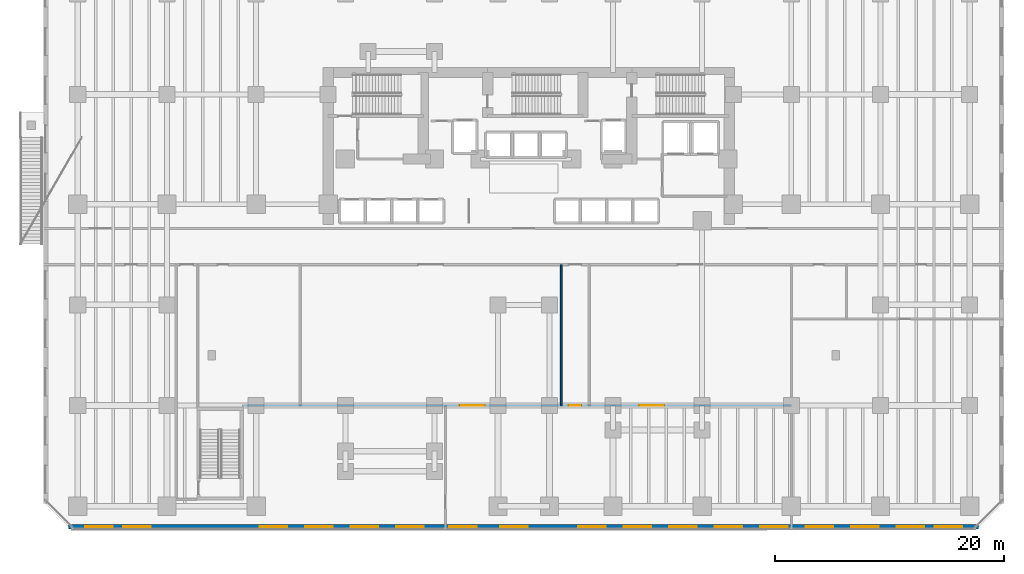
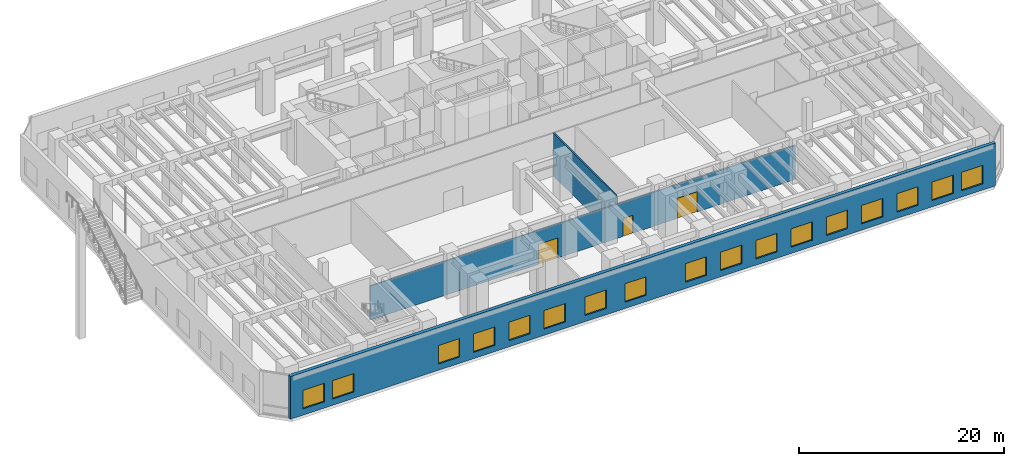
# One storey, part 11 of 21: 17 windows, 3 doors, 3 walls, 20 openings.
"""IFC4 building model written with IfcOpenShell, lengths in metres."""

from ifc_helpers import new_model, si_unit, direction, frame, frame_2d, origin, place, context, subcontext, project, spatial, rectangle, extrude, material, layer, layer_set, type_object, element, fill, save


model = new_model("IFC4")

# Units and contexts
model_context = context("Model", 3, precision=1e-05, world=origin(), true_north=direction((0.0, 1.0)))
body_context = subcontext(model_context, "Body", "Model", "MODEL_VIEW")
ifc_project = project(units=[si_unit("LENGTHUNIT", "METRE"), si_unit("AREAUNIT", "SQUARE_METRE"), si_unit("VOLUMEUNIT", "CUBIC_METRE"), si_unit("PLANEANGLEUNIT", "RADIAN"), si_unit("MASSUNIT", "GRAM", prefix="KILO")], contexts=[model_context])

# Site, building, storey
site_placement = place(None, origin())
site = spatial("IfcSite", under=ifc_project, at=site_placement, CompositionType="ELEMENT")
building_placement = place(site_placement, origin())
building = spatial("IfcBuilding", under=site, at=building_placement, Name="Kestravale Grand Hotel", CompositionType="ELEMENT")
storey_placement = place(building_placement, frame((0.0, 0.0, 10.39990234375)))
storey = spatial("IfcBuildingStorey", under=building, at=storey_placement, Name="L02", CompositionType="ELEMENT", Elevation=10.39990234375)

# Wall, openings, windows
ifc_material_1 = material(Name="Precast concrete f'c 45 MPa", Category="concrete")
ifc_layer_1 = layer(ifc_material_1, 0.3798828125)
ifc_layer_set_1 = layer_set([ifc_layer_1], Name="EW-POD-380")
wall_type_1 = type_object("IfcWallType", Name="EW-POD-380", PredefinedType="SOLIDWALL", material=ifc_layer_set_1)
wall_1_placement = place(storey_placement, frame((-0.7900390625, 0.590087890625, 0.0), z_axis=(0.0, 0.0, 1.0), x_axis=(1.0, 0.0, 0.0)))
wall_1 = element("IfcWall", 1, at=wall_1_placement, inside=storey, type_object=wall_type_1, Name="L02 fluted precast facade wall 1", PredefinedType="SOLIDWALL", context=body_context, shape_type="SweptSolid", body=[
    extrude(rectangle(XDim=79.580078125, YDim=0.3798828125, at=frame_2d((39.7900390625, 0.0))), origin(), (0.0, 0.0, 1.0), 5.10009765625),
])
opening_1_placement = place(wall_1_placement, frame((1.439453125, 0.0, 0.75)))
opening_1 = element("IfcOpeningElement", 2, at=opening_1_placement, cuts=wall_1, Name="Opening W-POD-2400", PredefinedType="OPENING", context=body_context, shape_type="SweptSolid", body=[
    extrude(rectangle(XDim=2.39990234375, YDim=2.199951171875, at=frame_2d((1.199951171875, 1.10009765625))), frame((0.0, 0.199951171875, 0.0), z_axis=(0.0, -1.0, 0.0), x_axis=(1.0, 0.0, 0.0)), (0.0, 0.0, 1.0), 0.39990234375),
])
opening_2_placement = place(wall_1_placement, frame((4.7685546875, 0.0, 0.75)))
opening_2 = element("IfcOpeningElement", 3, at=opening_2_placement, cuts=wall_1, Name="Opening W-POD-2400", PredefinedType="OPENING", context=body_context, shape_type="SweptSolid", body=[
    extrude(rectangle(XDim=2.39990234375, YDim=2.199951171875, at=frame_2d((1.199951171875, 1.10009765625))), frame((0.0, 0.199951171875, 0.0), z_axis=(0.0, -1.0, 0.0), x_axis=(1.0, 0.0, 0.0)), (0.0, 0.0, 1.0), 0.39990234375),
])
opening_3_placement = place(wall_1_placement, frame((16.70556640625, 0.0, 0.75)))
opening_3 = element("IfcOpeningElement", 4, at=opening_3_placement, cuts=wall_1, Name="Opening W-POD-2400", PredefinedType="OPENING", context=body_context, shape_type="SweptSolid", body=[
    extrude(rectangle(XDim=2.39990234375, YDim=2.199951171875, at=frame_2d((1.199951171875, 1.10009765625))), frame((0.0, 0.199951171875, 0.0), z_axis=(0.0, -1.0, 0.0), x_axis=(1.0, 0.0, 0.0)), (0.0, 0.0, 1.0), 0.39990234375),
])
opening_4_placement = place(wall_1_placement, frame((20.6845703125, 0.0, 0.75)))
opening_4 = element("IfcOpeningElement", 5, at=opening_4_placement, cuts=wall_1, Name="Opening W-POD-2400", PredefinedType="OPENING", context=body_context, shape_type="SweptSolid", body=[
    extrude(rectangle(XDim=2.39990234375, YDim=2.199951171875, at=frame_2d((1.199951171875, 1.10009765625))), frame((0.0, 0.199951171875, 0.0), z_axis=(0.0, -1.0, 0.0), x_axis=(1.0, 0.0, 0.0)), (0.0, 0.0, 1.0), 0.39990234375),
])
opening_5_placement = place(wall_1_placement, frame((24.66357421875, 0.0, 0.75)))
opening_5 = element("IfcOpeningElement", 6, at=opening_5_placement, cuts=wall_1, Name="Opening W-POD-2400", PredefinedType="OPENING", context=body_context, shape_type="SweptSolid", body=[
    extrude(rectangle(XDim=2.39990234375, YDim=2.199951171875, at=frame_2d((1.199951171875, 1.10009765625))), frame((0.0, 0.199951171875, 0.0), z_axis=(0.0, -1.0, 0.0), x_axis=(1.0, 0.0, 0.0)), (0.0, 0.0, 1.0), 0.39990234375),
])
opening_6_placement = place(wall_1_placement, frame((28.642578125, 0.0, 0.75)))
opening_6 = element("IfcOpeningElement", 7, at=opening_6_placement, cuts=wall_1, Name="Opening W-POD-2400", PredefinedType="OPENING", context=body_context, shape_type="SweptSolid", body=[
    extrude(rectangle(XDim=2.39990234375, YDim=2.199951171875, at=frame_2d((1.199951171875, 1.10009765625))), frame((0.0, 0.199951171875, 0.0), z_axis=(0.0, -1.0, 0.0), x_axis=(1.0, 0.0, 0.0)), (0.0, 0.0, 1.0), 0.39990234375),
])
opening_7_placement = place(wall_1_placement, frame((33.271484375, 0.0, 0.75)))
opening_7 = element("IfcOpeningElement", 8, at=opening_7_placement, cuts=wall_1, Name="Opening W-POD-2400", PredefinedType="OPENING", context=body_context, shape_type="SweptSolid", body=[
    extrude(rectangle(XDim=2.39990234375, YDim=2.199951171875, at=frame_2d((1.199951171875, 1.10009765625))), frame((0.0, 0.199951171875, 0.0), z_axis=(0.0, -1.0, 0.0), x_axis=(1.0, 0.0, 0.0)), (0.0, 0.0, 1.0), 0.39990234375),
])
opening_8_placement = place(wall_1_placement, frame((37.75048828125, 0.0, 0.75)))
opening_8 = element("IfcOpeningElement", 9, at=opening_8_placement, cuts=wall_1, Name="Opening W-POD-2400", PredefinedType="OPENING", context=body_context, shape_type="SweptSolid", body=[
    extrude(rectangle(XDim=2.39990234375, YDim=2.199951171875, at=frame_2d((1.199951171875, 1.10009765625))), frame((0.0, 0.199951171875, 0.0), z_axis=(0.0, -1.0, 0.0), x_axis=(1.0, 0.0, 0.0)), (0.0, 0.0, 1.0), 0.39990234375),
])
opening_9_placement = place(wall_1_placement, frame((44.55859375, 0.0, 0.75)))
opening_9 = element("IfcOpeningElement", 10, at=opening_9_placement, cuts=wall_1, Name="Opening W-POD-2400", PredefinedType="OPENING", context=body_context, shape_type="SweptSolid", body=[
    extrude(rectangle(XDim=2.39990234375, YDim=2.199951171875, at=frame_2d((1.199951171875, 1.10009765625))), frame((0.0, 0.199951171875, 0.0), z_axis=(0.0, -1.0, 0.0), x_axis=(1.0, 0.0, 0.0)), (0.0, 0.0, 1.0), 0.39990234375),
])
opening_10_placement = place(wall_1_placement, frame((48.53759765625, 0.0, 0.75)))
opening_10 = element("IfcOpeningElement", 11, at=opening_10_placement, cuts=wall_1, Name="Opening W-POD-2400", PredefinedType="OPENING", context=body_context, shape_type="SweptSolid", body=[
    extrude(rectangle(XDim=2.39990234375, YDim=2.199951171875, at=frame_2d((1.199951171875, 1.10009765625))), frame((0.0, 0.199951171875, 0.0), z_axis=(0.0, -1.0, 0.0), x_axis=(1.0, 0.0, 0.0)), (0.0, 0.0, 1.0), 0.39990234375),
])
opening_11_placement = place(wall_1_placement, frame((52.5166015625, 0.0, 0.75)))
opening_11 = element("IfcOpeningElement", 12, at=opening_11_placement, cuts=wall_1, Name="Opening W-POD-2400", PredefinedType="OPENING", context=body_context, shape_type="SweptSolid", body=[
    extrude(rectangle(XDim=2.39990234375, YDim=2.199951171875, at=frame_2d((1.199951171875, 1.10009765625))), frame((0.0, 0.199951171875, 0.0), z_axis=(0.0, -1.0, 0.0), x_axis=(1.0, 0.0, 0.0)), (0.0, 0.0, 1.0), 0.39990234375),
])
opening_12_placement = place(wall_1_placement, frame((56.49560546875, 0.0, 0.75)))
opening_12 = element("IfcOpeningElement", 13, at=opening_12_placement, cuts=wall_1, Name="Opening W-POD-2400", PredefinedType="OPENING", context=body_context, shape_type="SweptSolid", body=[
    extrude(rectangle(XDim=2.39990234375, YDim=2.199951171875, at=frame_2d((1.199951171875, 1.10009765625))), frame((0.0, 0.199951171875, 0.0), z_axis=(0.0, -1.0, 0.0), x_axis=(1.0, 0.0, 0.0)), (0.0, 0.0, 1.0), 0.39990234375),
])
opening_13_placement = place(wall_1_placement, frame((60.474609375, 0.0, 0.75)))
opening_13 = element("IfcOpeningElement", 14, at=opening_13_placement, cuts=wall_1, Name="Opening W-POD-2400", PredefinedType="OPENING", context=body_context, shape_type="SweptSolid", body=[
    extrude(rectangle(XDim=2.39990234375, YDim=2.199951171875, at=frame_2d((1.199951171875, 1.10009765625))), frame((0.0, 0.199951171875, 0.0), z_axis=(0.0, -1.0, 0.0), x_axis=(1.0, 0.0, 0.0)), (0.0, 0.0, 1.0), 0.39990234375),
])
opening_14_placement = place(wall_1_placement, frame((64.45361328125, 0.0, 0.75)))
opening_14 = element("IfcOpeningElement", 15, at=opening_14_placement, cuts=wall_1, Name="Opening W-POD-2400", PredefinedType="OPENING", context=body_context, shape_type="SweptSolid", body=[
    extrude(rectangle(XDim=2.39990234375, YDim=2.199951171875, at=frame_2d((1.199951171875, 1.10009765625))), frame((0.0, 0.199951171875, 0.0), z_axis=(0.0, -1.0, 0.0), x_axis=(1.0, 0.0, 0.0)), (0.0, 0.0, 1.0), 0.39990234375),
])
opening_15_placement = place(wall_1_placement, frame((68.4326171875, 0.0, 0.75)))
opening_15 = element("IfcOpeningElement", 16, at=opening_15_placement, cuts=wall_1, Name="Opening W-POD-2400", PredefinedType="OPENING", context=body_context, shape_type="SweptSolid", body=[
    extrude(rectangle(XDim=2.39990234375, YDim=2.199951171875, at=frame_2d((1.199951171875, 1.10009765625))), frame((0.0, 0.199951171875, 0.0), z_axis=(0.0, -1.0, 0.0), x_axis=(1.0, 0.0, 0.0)), (0.0, 0.0, 1.0), 0.39990234375),
])
opening_16_placement = place(wall_1_placement, frame((72.41162109375, 0.0, 0.75)))
opening_16 = element("IfcOpeningElement", 17, at=opening_16_placement, cuts=wall_1, Name="Opening W-POD-2400", PredefinedType="OPENING", context=body_context, shape_type="SweptSolid", body=[
    extrude(rectangle(XDim=2.39990234375, YDim=2.199951171875, at=frame_2d((1.199951171875, 1.10009765625))), frame((0.0, 0.199951171875, 0.0), z_axis=(0.0, -1.0, 0.0), x_axis=(1.0, 0.0, 0.0)), (0.0, 0.0, 1.0), 0.39990234375),
])
opening_17_placement = place(wall_1_placement, frame((75.740478515625, 0.0, 0.75)))
opening_17 = element("IfcOpeningElement", 18, at=opening_17_placement, cuts=wall_1, Name="Opening W-POD-2400", PredefinedType="OPENING", context=body_context, shape_type="SweptSolid", body=[
    extrude(rectangle(XDim=2.39990234375, YDim=2.199951171875, at=frame_2d((1.199951171875, 1.10009765625))), frame((0.0, 0.199951171875, 0.0), z_axis=(0.0, -1.0, 0.0), x_axis=(1.0, 0.0, 0.0)), (0.0, 0.0, 1.0), 0.39990234375),
])
ifc_material_2 = material(Name="Insulated low-E double glazing in aluminium frame", Category="aluminium")
window_type = type_object("IfcWindowType", Name="W-POD-2400", PartitioningType="DOUBLE_PANEL_VERTICAL", PredefinedType="WINDOW", material=ifc_material_2)
window_1_placement = place(opening_1_placement, origin())
window_1 = element("IfcWindow", 19, at=window_1_placement, inside=storey, type_object=window_type, Name="L02 exterior window 1.1", OverallHeight=2.199951171875, OverallWidth=2.39990234375, PartitioningType="SINGLE_PANEL", PredefinedType="WINDOW", context=body_context, shape_type="SweptSolid", body=[
    extrude(rectangle(XDim=2.39990234375, YDim=2.199951171875, at=frame_2d((1.199951171875, 1.10009765625))), frame((0.0, 0.030029296875, 0.0), z_axis=(0.0, -1.0, 0.0), x_axis=(1.0, 0.0, 0.0)), (0.0, 0.0, 1.0), 0.06005859375),
])
fill(opening_1, window_1)
window_2_placement = place(opening_2_placement, origin())
window_2 = element("IfcWindow", 20, at=window_2_placement, inside=storey, type_object=window_type, Name="L02 exterior window 1.2", OverallHeight=2.199951171875, OverallWidth=2.39990234375, PartitioningType="SINGLE_PANEL", PredefinedType="WINDOW", context=body_context, shape_type="SweptSolid", body=[
    extrude(rectangle(XDim=2.39990234375, YDim=2.199951171875, at=frame_2d((1.199951171875, 1.10009765625))), frame((0.0, 0.030029296875, 0.0), z_axis=(0.0, -1.0, 0.0), x_axis=(1.0, 0.0, 0.0)), (0.0, 0.0, 1.0), 0.06005859375),
])
fill(opening_2, window_2)
window_3_placement = place(opening_3_placement, origin())
window_3 = element("IfcWindow", 21, at=window_3_placement, inside=storey, type_object=window_type, Name="L02 exterior window 1.3", OverallHeight=2.199951171875, OverallWidth=2.39990234375, PartitioningType="SINGLE_PANEL", PredefinedType="WINDOW", context=body_context, shape_type="SweptSolid", body=[
    extrude(rectangle(XDim=2.39990234375, YDim=2.199951171875, at=frame_2d((1.199951171875, 1.10009765625))), frame((0.0, 0.030029296875, 0.0), z_axis=(0.0, -1.0, 0.0), x_axis=(1.0, 0.0, 0.0)), (0.0, 0.0, 1.0), 0.06005859375),
])
fill(opening_3, window_3)
window_4_placement = place(opening_4_placement, origin())
window_4 = element("IfcWindow", 22, at=window_4_placement, inside=storey, type_object=window_type, Name="L02 exterior window 1.4", OverallHeight=2.199951171875, OverallWidth=2.39990234375, PartitioningType="SINGLE_PANEL", PredefinedType="WINDOW", context=body_context, shape_type="SweptSolid", body=[
    extrude(rectangle(XDim=2.39990234375, YDim=2.199951171875, at=frame_2d((1.199951171875, 1.10009765625))), frame((0.0, 0.030029296875, 0.0), z_axis=(0.0, -1.0, 0.0), x_axis=(1.0, 0.0, 0.0)), (0.0, 0.0, 1.0), 0.06005859375),
])
fill(opening_4, window_4)
window_5_placement = place(opening_5_placement, origin())
window_5 = element("IfcWindow", 23, at=window_5_placement, inside=storey, type_object=window_type, Name="L02 exterior window 1.5", OverallHeight=2.199951171875, OverallWidth=2.39990234375, PartitioningType="SINGLE_PANEL", PredefinedType="WINDOW", context=body_context, shape_type="SweptSolid", body=[
    extrude(rectangle(XDim=2.39990234375, YDim=2.199951171875, at=frame_2d((1.199951171875, 1.10009765625))), frame((0.0, 0.030029296875, 0.0), z_axis=(0.0, -1.0, 0.0), x_axis=(1.0, 0.0, 0.0)), (0.0, 0.0, 1.0), 0.06005859375),
])
fill(opening_5, window_5)
window_6_placement = place(opening_6_placement, origin())
window_6 = element("IfcWindow", 24, at=window_6_placement, inside=storey, type_object=window_type, Name="L02 exterior window 1.6", OverallHeight=2.199951171875, OverallWidth=2.39990234375, PartitioningType="SINGLE_PANEL", PredefinedType="WINDOW", context=body_context, shape_type="SweptSolid", body=[
    extrude(rectangle(XDim=2.39990234375, YDim=2.199951171875, at=frame_2d((1.199951171875, 1.10009765625))), frame((0.0, 0.030029296875, 0.0), z_axis=(0.0, -1.0, 0.0), x_axis=(1.0, 0.0, 0.0)), (0.0, 0.0, 1.0), 0.06005859375),
])
fill(opening_6, window_6)
window_7_placement = place(opening_7_placement, origin())
window_7 = element("IfcWindow", 25, at=window_7_placement, inside=storey, type_object=window_type, Name="L02 exterior window 1.7", OverallHeight=2.199951171875, OverallWidth=2.39990234375, PartitioningType="SINGLE_PANEL", PredefinedType="WINDOW", context=body_context, shape_type="SweptSolid", body=[
    extrude(rectangle(XDim=2.39990234375, YDim=2.199951171875, at=frame_2d((1.199951171875, 1.10009765625))), frame((0.0, 0.030029296875, 0.0), z_axis=(0.0, -1.0, 0.0), x_axis=(1.0, 0.0, 0.0)), (0.0, 0.0, 1.0), 0.06005859375),
])
fill(opening_7, window_7)
window_8_placement = place(opening_8_placement, origin())
window_8 = element("IfcWindow", 26, at=window_8_placement, inside=storey, type_object=window_type, Name="L02 exterior window 1.8", OverallHeight=2.199951171875, OverallWidth=2.39990234375, PartitioningType="SINGLE_PANEL", PredefinedType="WINDOW", context=body_context, shape_type="SweptSolid", body=[
    extrude(rectangle(XDim=2.39990234375, YDim=2.199951171875, at=frame_2d((1.199951171875, 1.10009765625))), frame((0.0, 0.030029296875, 0.0), z_axis=(0.0, -1.0, 0.0), x_axis=(1.0, 0.0, 0.0)), (0.0, 0.0, 1.0), 0.06005859375),
])
fill(opening_8, window_8)
window_9_placement = place(opening_9_placement, origin())
window_9 = element("IfcWindow", 27, at=window_9_placement, inside=storey, type_object=window_type, Name="L02 exterior window 1.9", OverallHeight=2.199951171875, OverallWidth=2.39990234375, PartitioningType="SINGLE_PANEL", PredefinedType="WINDOW", context=body_context, shape_type="SweptSolid", body=[
    extrude(rectangle(XDim=2.39990234375, YDim=2.199951171875, at=frame_2d((1.199951171875, 1.10009765625))), frame((0.0, 0.030029296875, 0.0), z_axis=(0.0, -1.0, 0.0), x_axis=(1.0, 0.0, 0.0)), (0.0, 0.0, 1.0), 0.06005859375),
])
fill(opening_9, window_9)
window_10_placement = place(opening_10_placement, origin())
window_10 = element("IfcWindow", 28, at=window_10_placement, inside=storey, type_object=window_type, Name="L02 exterior window 1.10", OverallHeight=2.199951171875, OverallWidth=2.39990234375, PartitioningType="SINGLE_PANEL", PredefinedType="WINDOW", context=body_context, shape_type="SweptSolid", body=[
    extrude(rectangle(XDim=2.39990234375, YDim=2.199951171875, at=frame_2d((1.199951171875, 1.10009765625))), frame((0.0, 0.030029296875, 0.0), z_axis=(0.0, -1.0, 0.0), x_axis=(1.0, 0.0, 0.0)), (0.0, 0.0, 1.0), 0.06005859375),
])
fill(opening_10, window_10)
window_11_placement = place(opening_11_placement, origin())
window_11 = element("IfcWindow", 29, at=window_11_placement, inside=storey, type_object=window_type, Name="L02 exterior window 1.11", OverallHeight=2.199951171875, OverallWidth=2.39990234375, PartitioningType="SINGLE_PANEL", PredefinedType="WINDOW", context=body_context, shape_type="SweptSolid", body=[
    extrude(rectangle(XDim=2.39990234375, YDim=2.199951171875, at=frame_2d((1.199951171875, 1.10009765625))), frame((0.0, 0.030029296875, 0.0), z_axis=(0.0, -1.0, 0.0), x_axis=(1.0, 0.0, 0.0)), (0.0, 0.0, 1.0), 0.06005859375),
])
fill(opening_11, window_11)
window_12_placement = place(opening_12_placement, origin())
window_12 = element("IfcWindow", 30, at=window_12_placement, inside=storey, type_object=window_type, Name="L02 exterior window 1.12", OverallHeight=2.199951171875, OverallWidth=2.39990234375, PartitioningType="SINGLE_PANEL", PredefinedType="WINDOW", context=body_context, shape_type="SweptSolid", body=[
    extrude(rectangle(XDim=2.39990234375, YDim=2.199951171875, at=frame_2d((1.199951171875, 1.10009765625))), frame((0.0, 0.030029296875, 0.0), z_axis=(0.0, -1.0, 0.0), x_axis=(1.0, 0.0, 0.0)), (0.0, 0.0, 1.0), 0.06005859375),
])
fill(opening_12, window_12)
window_13_placement = place(opening_13_placement, origin())
window_13 = element("IfcWindow", 31, at=window_13_placement, inside=storey, type_object=window_type, Name="L02 exterior window 1.13", OverallHeight=2.199951171875, OverallWidth=2.39990234375, PartitioningType="SINGLE_PANEL", PredefinedType="WINDOW", context=body_context, shape_type="SweptSolid", body=[
    extrude(rectangle(XDim=2.39990234375, YDim=2.199951171875, at=frame_2d((1.199951171875, 1.10009765625))), frame((0.0, 0.030029296875, 0.0), z_axis=(0.0, -1.0, 0.0), x_axis=(1.0, 0.0, 0.0)), (0.0, 0.0, 1.0), 0.06005859375),
])
fill(opening_13, window_13)
window_14_placement = place(opening_14_placement, origin())
window_14 = element("IfcWindow", 32, at=window_14_placement, inside=storey, type_object=window_type, Name="L02 exterior window 1.14", OverallHeight=2.199951171875, OverallWidth=2.39990234375, PartitioningType="SINGLE_PANEL", PredefinedType="WINDOW", context=body_context, shape_type="SweptSolid", body=[
    extrude(rectangle(XDim=2.39990234375, YDim=2.199951171875, at=frame_2d((1.199951171875, 1.10009765625))), frame((0.0, 0.030029296875, 0.0), z_axis=(0.0, -1.0, 0.0), x_axis=(1.0, 0.0, 0.0)), (0.0, 0.0, 1.0), 0.06005859375),
])
fill(opening_14, window_14)
window_15_placement = place(opening_15_placement, origin())
window_15 = element("IfcWindow", 33, at=window_15_placement, inside=storey, type_object=window_type, Name="L02 exterior window 1.15", OverallHeight=2.199951171875, OverallWidth=2.39990234375, PartitioningType="SINGLE_PANEL", PredefinedType="WINDOW", context=body_context, shape_type="SweptSolid", body=[
    extrude(rectangle(XDim=2.39990234375, YDim=2.199951171875, at=frame_2d((1.199951171875, 1.10009765625))), frame((0.0, 0.030029296875, 0.0), z_axis=(0.0, -1.0, 0.0), x_axis=(1.0, 0.0, 0.0)), (0.0, 0.0, 1.0), 0.06005859375),
])
fill(opening_15, window_15)
window_16_placement = place(opening_16_placement, origin())
window_16 = element("IfcWindow", 34, at=window_16_placement, inside=storey, type_object=window_type, Name="L02 exterior window 1.16", OverallHeight=2.199951171875, OverallWidth=2.39990234375, PartitioningType="SINGLE_PANEL", PredefinedType="WINDOW", context=body_context, shape_type="SweptSolid", body=[
    extrude(rectangle(XDim=2.39990234375, YDim=2.199951171875, at=frame_2d((1.199951171875, 1.10009765625))), frame((0.0, 0.030029296875, 0.0), z_axis=(0.0, -1.0, 0.0), x_axis=(1.0, 0.0, 0.0)), (0.0, 0.0, 1.0), 0.06005859375),
])
fill(opening_16, window_16)
window_17_placement = place(opening_17_placement, origin())
window_17 = element("IfcWindow", 35, at=window_17_placement, inside=storey, type_object=window_type, Name="L02 exterior window 1.17", OverallHeight=2.199951171875, OverallWidth=2.39990234375, PartitioningType="SINGLE_PANEL", PredefinedType="WINDOW", context=body_context, shape_type="SweptSolid", body=[
    extrude(rectangle(XDim=2.39990234375, YDim=2.199951171875, at=frame_2d((1.199951171875, 1.10009765625))), frame((0.0, 0.030029296875, 0.0), z_axis=(0.0, -1.0, 0.0), x_axis=(1.0, 0.0, 0.0)), (0.0, 0.0, 1.0), 0.06005859375),
])
fill(opening_17, window_17)

# Wall
ifc_material_3 = material(Name="Acoustic fire-rated gypsum board partition", Category="other")
ifc_layer_2 = layer(ifc_material_3, 0.159912109375)
ifc_layer_set_2 = layer_set([ifc_layer_2], Name="IW-CORR-160")
wall_type_2 = type_object("IfcWallType", Name="IW-CORR-160", PredefinedType="PARTITIONING", material=ifc_layer_set_2)
wall_2_placement = place(storey_placement, frame((42.280029296875, 11.199951171875, 0.0), z_axis=(0.0, 0.0, 1.0), x_axis=(0.0, 1.0, 0.0)))
element("IfcWall", 36, at=wall_2_placement, inside=storey, type_object=wall_type_2, Name="W-L02-SGC-W", PredefinedType="PARTITIONING", context=body_context, shape_type="SweptSolid", body=[
    extrude(rectangle(XDim=12.320068359375, YDim=0.159912109375, at=frame_2d((6.16015625, 0.0))), origin(), (0.0, 0.0, 1.0), 5.10009765625),
])

# Wall, openings, doors
wall_3_placement = place(storey_placement, frame((14.39990234375, 11.199951171875, 0.0), z_axis=(0.0, 0.0, 1.0), x_axis=(1.0, 0.0, 0.0)))
wall_3 = element("IfcWall", 37, at=wall_3_placement, inside=storey, type_object=wall_type_2, Name="W-L02-SGAL-N", PredefinedType="PARTITIONING", context=body_context, shape_type="SweptSolid", body=[
    extrude(rectangle(XDim=48.0, YDim=0.159912109375, at=frame_2d((24.0, 0.0))), origin(), (0.0, 0.0, 1.0), 4.06005859375),
])
opening_18_placement = place(wall_3_placement, frame((28.550048828125, 0.0, 0.0)))
opening_18 = element("IfcOpeningElement", 38, at=opening_18_placement, cuts=wall_3, Name="Opening D-CORR-1100", PredefinedType="OPENING", context=body_context, shape_type="SweptSolid", body=[
    extrude(rectangle(XDim=1.10009765625, YDim=2.14990234375, at=frame_2d((0.550048828125, 1.074951171875))), frame((0.0, 0.08984375, 0.0), z_axis=(0.0, -1.0, 0.0), x_axis=(1.0, 0.0, 0.0)), (0.0, 0.0, 1.0), 0.179931640625),
])
opening_19_placement = place(wall_3_placement, frame((19.0, 0.0, 0.0)))
opening_19 = element("IfcOpeningElement", 39, at=opening_19_placement, cuts=wall_3, Name="Opening D-BAL-2200", PredefinedType="OPENING", context=body_context, shape_type="SweptSolid", body=[
    extrude(rectangle(XDim=2.199951171875, YDim=2.39990234375, at=frame_2d((1.10009765625, 1.199951171875))), frame((0.0, 0.08984375, 0.0), z_axis=(0.0, -1.0, 0.0), x_axis=(1.0, 0.0, 0.0)), (0.0, 0.0, 1.0), 0.179931640625),
])
opening_20_placement = place(wall_3_placement, frame((34.6875, 0.0, 0.0)))
opening_20 = element("IfcOpeningElement", 40, at=opening_20_placement, cuts=wall_3, Name="Opening D-BAL-2200", PredefinedType="OPENING", context=body_context, shape_type="SweptSolid", body=[
    extrude(rectangle(XDim=2.199951171875, YDim=2.39990234375, at=frame_2d((1.10009765625, 1.199951171875))), frame((0.0, 0.08984375, 0.0), z_axis=(0.0, -1.0, 0.0), x_axis=(1.0, 0.0, 0.0)), (0.0, 0.0, 1.0), 0.179931640625),
])
ifc_material_4 = material(Name="Monumental walnut and bronze ballroom double fire door", Category="wood")
door_type_1 = type_object("IfcDoorType", Name="D-BAL-2200", OperationType="NOTDEFINED", PredefinedType="DOOR", material=ifc_material_4)
door_1_placement = place(opening_19_placement, origin())
door_1 = element("IfcDoor", 41, at=door_1_placement, inside=storey, type_object=door_type_1, Name="D-L02-SGAL-W", OperationType="DOUBLE_DOOR_SINGLE_SWING", OverallHeight=2.39990234375, OverallWidth=2.199951171875, PredefinedType="DOOR", context=body_context, shape_type="SweptSolid", body=[
    extrude(rectangle(XDim=2.199951171875, YDim=2.39990234375, at=frame_2d((1.10009765625, 1.199951171875))), frame((0.0, 0.02490234375, 0.0), z_axis=(0.0, -1.0, 0.0), x_axis=(1.0, 0.0, 0.0)), (0.0, 0.0, 1.0), 0.050048828125),
])
fill(opening_19, door_1)
door_2_placement = place(opening_20_placement, origin())
door_2 = element("IfcDoor", 42, at=door_2_placement, inside=storey, type_object=door_type_1, Name="D-L02-SGAL-E", OperationType="DOUBLE_DOOR_SINGLE_SWING", OverallHeight=2.39990234375, OverallWidth=2.199951171875, PredefinedType="DOOR", context=body_context, shape_type="SweptSolid", body=[
    extrude(rectangle(XDim=2.199951171875, YDim=2.39990234375, at=frame_2d((1.10009765625, 1.199951171875))), frame((0.0, 0.02490234375, 0.0), z_axis=(0.0, -1.0, 0.0), x_axis=(1.0, 0.0, 0.0)), (0.0, 0.0, 1.0), 0.050048828125),
])
fill(opening_20, door_2)
ifc_material_5 = material(Name="Single-leaf service vestibule fire door", Category="steel")
door_type_2 = type_object("IfcDoorType", Name="D-CORR-1100", OperationType="NOTDEFINED", PredefinedType="DOOR", material=ifc_material_5)
door_3_placement = place(opening_18_placement, origin())
door_3 = element("IfcDoor", 43, at=door_3_placement, inside=storey, type_object=door_type_2, Name="L02 South Gallery Corridor South Door", OperationType="SINGLE_SWING_LEFT", OverallHeight=2.14990234375, OverallWidth=1.10009765625, PredefinedType="DOOR", context=body_context, shape_type="SweptSolid", body=[
    extrude(rectangle(XDim=1.10009765625, YDim=2.14990234375, at=frame_2d((0.550048828125, 1.074951171875))), frame((0.0, 0.02490234375, 0.0), z_axis=(0.0, -1.0, 0.0), x_axis=(1.0, 0.0, 0.0)), (0.0, 0.0, 1.0), 0.050048828125),
])
fill(opening_18, door_3)

save(model, "model.ifc")
